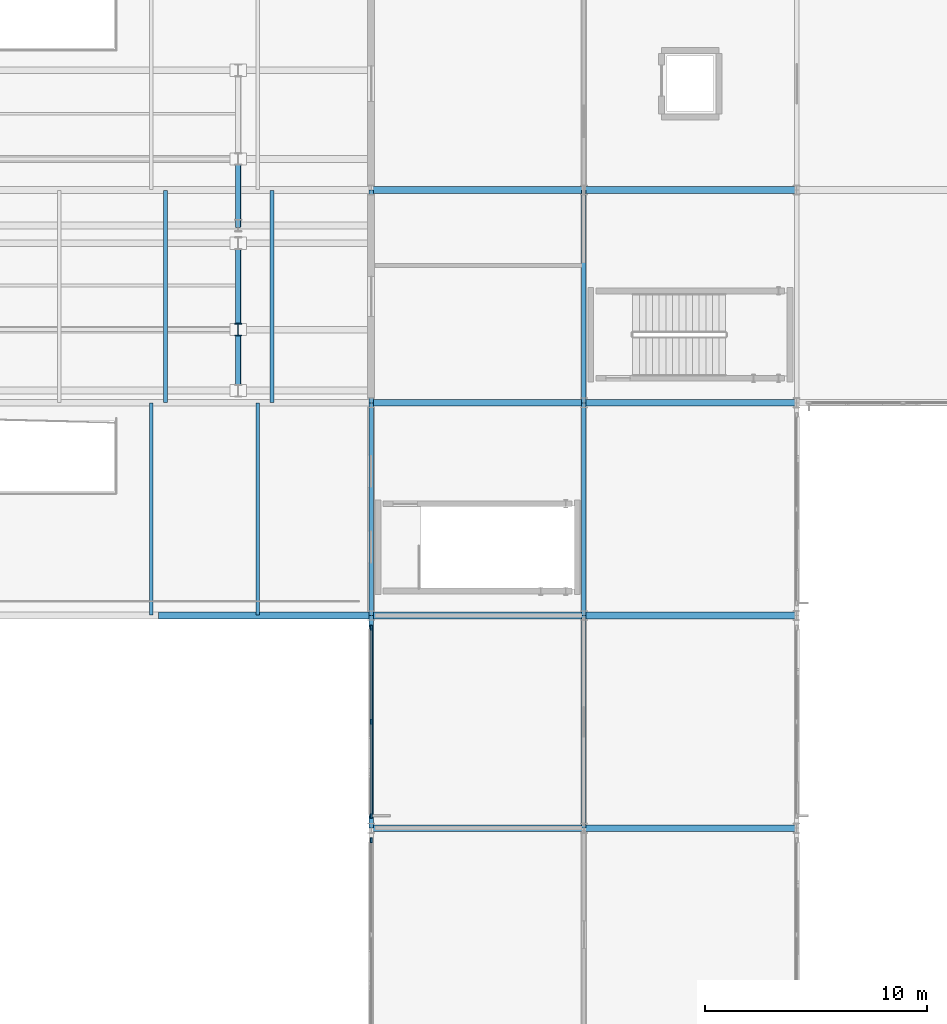
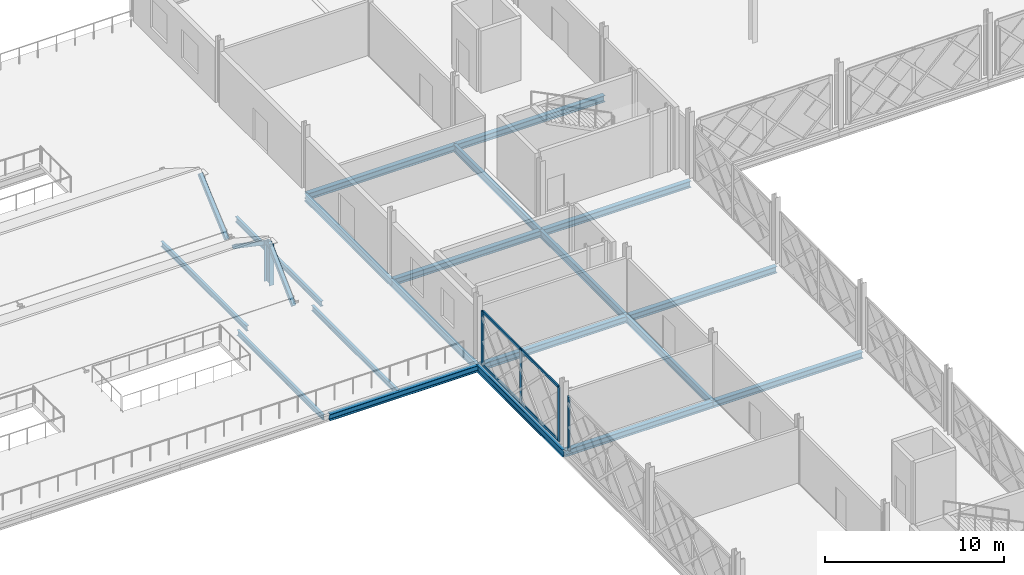
# One storey, part 44 of 101: 19 beams, 12 members, 2 elements without a shape of their own.
"""IFC4 building model written with IfcOpenShell, lengths in metres."""

from ifc_helpers import new_model, si_unit, direction, frame, origin, origin_2d, place, context, subcontext, project, spatial, rectangle, hollow_rectangle, i_section, extrude, material, layer, layer_set, material_profile, profile_set, type_object, element, aggregate, save


model = new_model("IFC4")

# Units and contexts
model_context = context("Model", 3, precision=1e-05, world=origin(), true_north=direction((0.0, 1.0)))
body_context = subcontext(model_context, "Body", "Model", "MODEL_VIEW")
ifc_project = project(units=[si_unit("LENGTHUNIT", "METRE"), si_unit("AREAUNIT", "SQUARE_METRE"), si_unit("VOLUMEUNIT", "CUBIC_METRE"), si_unit("PLANEANGLEUNIT", "RADIAN"), si_unit("MASSUNIT", "GRAM", prefix="KILO")], contexts=[model_context])

# Site, building, storey
site_placement = place(None, origin())
site = spatial("IfcSite", under=ifc_project, at=site_placement, CompositionType="ELEMENT")
building_placement = place(site_placement, origin())
building = spatial("IfcBuilding", under=site, at=building_placement, Name="Zevrakil Square Congress Hotel", CompositionType="ELEMENT")
storey_placement = place(building_placement, frame((0.0, 0.0, 5.39990234375)))
storey = spatial("IfcBuildingStorey", under=building, at=storey_placement, Name="L02", CompositionType="ELEMENT", Elevation=5.39990234375)

# Beams
ifc_material_1 = material(Name="Steel S355", Category="steel")
ifc_material_profile_1 = material_profile(ifc_material_1, i_section(OverallWidth=0.300048828125, OverallDepth=0.43994140625, WebThickness=0.011474609375, FlangeThickness=0.02099609375, FilletRadius=0.027099609375, at=origin_2d()), Name="HEA 450")
ifc_profile_set_1 = profile_set([ifc_material_profile_1], Name="Steel S355")
beam_type_1 = type_object("IfcBeamType", Name="BM-HEA450", PredefinedType="BEAM", material=ifc_profile_set_1)
beam_1_placement = place(storey_placement, frame((45.60009765625, 64.800048828125, -0.47998046875), z_axis=(1.0, 0.0, 0.0), x_axis=(0.0, 1.0, 0.0)))
element("IfcBeam", 1, at=beam_1_placement, inside=storey, type_object=beam_type_1, Name="L02 primary girder BX-0751", PredefinedType="BEAM", context=body_context, shape_type="SweptSolid", body=[
    extrude(i_section(OverallWidth=0.300048828125, OverallDepth=0.43994140625, WebThickness=0.011474609375, FlangeThickness=0.02099609375, FilletRadius=0.027099609375, at=origin_2d()), origin(), (0.0, 0.0, 1.0), 9.599853515625),
])
for number, where, z_axis, x_axis, name in (
    (2, (55.199951171875, 64.800048828125, -0.47998046875), (1.0, 0.0, 0.0), (0.0, 1.0, 0.0), "L02 primary girder BX-0752"),
    (3, (36.0, 74.39990234375, -0.47998046875), (1.0, 0.0, 0.0), (0.0, 1.0, 0.0), "L02 primary girder BX-0764"),
):
    element("IfcBeam", number, at=place(storey_placement, frame(where, z_axis=z_axis, x_axis=x_axis)), inside=storey, type_object=beam_type_1, Name=name, PredefinedType="BEAM", context=body_context, shape_type="SweptSolid", body=[
        extrude(i_section(OverallWidth=0.300048828125, OverallDepth=0.43994140625, WebThickness=0.011474609375, FlangeThickness=0.02099609375, FilletRadius=0.027099609375, at=origin_2d()), origin(), (0.0, 0.0, 1.0), 9.60009765625),
    ])
beam_2_placement = place(storey_placement, frame((45.60009765625, 74.39990234375, -0.47998046875), z_axis=(1.0, 0.0, 0.0), x_axis=(0.0, 1.0, 0.0)))
element("IfcBeam", 4, at=beam_2_placement, inside=storey, type_object=beam_type_1, Name="L02 primary girder BX-0765", PredefinedType="BEAM", context=body_context, shape_type="SweptSolid", body=[
    extrude(i_section(OverallWidth=0.300048828125, OverallDepth=0.43994140625, WebThickness=0.011474609375, FlangeThickness=0.02099609375, FilletRadius=0.027099609375, at=origin_2d()), origin(), (0.0, 0.0, 1.0), 9.599853515625),
])
beam_3_placement = place(storey_placement, frame((55.199951171875, 74.39990234375, -0.47998046875), z_axis=(1.0, 0.0, 0.0), x_axis=(0.0, 1.0, 0.0)))
element("IfcBeam", 5, at=beam_3_placement, inside=storey, type_object=beam_type_1, Name="L02 primary girder BX-0766", PredefinedType="BEAM", context=body_context, shape_type="SweptSolid", body=[
    extrude(i_section(OverallWidth=0.300048828125, OverallDepth=0.43994140625, WebThickness=0.011474609375, FlangeThickness=0.02099609375, FilletRadius=0.027099609375, at=origin_2d()), origin(), (0.0, 0.0, 1.0), 9.60009765625),
])
beam_4_placement = place(storey_placement, frame((45.60009765625, 84.0, -0.47998046875), z_axis=(1.0, 0.0, 0.0), x_axis=(0.0, 1.0, 0.0)))
element("IfcBeam", 6, at=beam_4_placement, inside=storey, type_object=beam_type_1, Name="L02 primary girder BX-0770", PredefinedType="BEAM", context=body_context, shape_type="SweptSolid", body=[
    extrude(i_section(OverallWidth=0.300048828125, OverallDepth=0.43994140625, WebThickness=0.011474609375, FlangeThickness=0.02099609375, FilletRadius=0.027099609375, at=origin_2d()), origin(), (0.0, 0.0, 1.0), 9.599853515625),
])
beam_5_placement = place(storey_placement, frame((55.199951171875, 84.0, -0.47998046875), z_axis=(1.0, 0.0, 0.0), x_axis=(0.0, 1.0, 0.0)))
element("IfcBeam", 7, at=beam_5_placement, inside=storey, type_object=beam_type_1, Name="L02 primary girder BX-0771", PredefinedType="BEAM", context=body_context, shape_type="SweptSolid", body=[
    extrude(i_section(OverallWidth=0.300048828125, OverallDepth=0.43994140625, WebThickness=0.011474609375, FlangeThickness=0.02099609375, FilletRadius=0.027099609375, at=origin_2d()), origin(), (0.0, 0.0, 1.0), 9.60009765625),
])
beam_6_placement = place(storey_placement, frame((45.60009765625, 93.60009765625, -0.47998046875), z_axis=(1.0, 0.0, 0.0), x_axis=(0.0, 1.0, 0.0)))
element("IfcBeam", 8, at=beam_6_placement, inside=storey, type_object=beam_type_1, Name="L02 primary girder BX-0780", PredefinedType="BEAM", context=body_context, shape_type="SweptSolid", body=[
    extrude(i_section(OverallWidth=0.300048828125, OverallDepth=0.43994140625, WebThickness=0.011474609375, FlangeThickness=0.02099609375, FilletRadius=0.027099609375, at=origin_2d()), origin(), (0.0, 0.0, 1.0), 9.599853515625),
])
beam_7_placement = place(storey_placement, frame((55.199951171875, 93.60009765625, -0.47998046875), z_axis=(1.0, 0.0, 0.0), x_axis=(0.0, 1.0, 0.0)))
element("IfcBeam", 9, at=beam_7_placement, inside=storey, type_object=beam_type_1, Name="L02 primary girder BX-0781", PredefinedType="BEAM", context=body_context, shape_type="SweptSolid", body=[
    extrude(i_section(OverallWidth=0.300048828125, OverallDepth=0.43994140625, WebThickness=0.011474609375, FlangeThickness=0.02099609375, FilletRadius=0.027099609375, at=origin_2d()), origin(), (0.0, 0.0, 1.0), 9.60009765625),
])
ifc_material_2 = material(Name="Steel S355", Category="steel")
ifc_material_profile_2 = material_profile(ifc_material_2, i_section(OverallWidth=0.199951171875, OverallDepth=0.5, WebThickness=0.01025390625, FlangeThickness=0.01611328125, FilletRadius=0.02099609375, at=origin_2d()), Name="IPE 500")
ifc_profile_set_2 = profile_set([ifc_material_profile_2], Name="Steel S355")
beam_type_2 = type_object("IfcBeamType", Name="BM-IPE500", PredefinedType="BEAM", material=ifc_profile_set_2)
beam_8_placement = place(storey_placement, frame((45.60009765625, 64.800048828125, -0.510009765625), z_axis=(0.0, 1.0, 0.0), x_axis=(-1.0, 0.0, 0.0)))
element("IfcBeam", 10, at=beam_8_placement, inside=storey, type_object=beam_type_2, Name="L02 primary girder BY-0849", PredefinedType="BEAM", context=body_context, shape_type="SweptSolid", body=[
    extrude(i_section(OverallWidth=0.199951171875, OverallDepth=0.5, WebThickness=0.01025390625, FlangeThickness=0.01611328125, FilletRadius=0.02099609375, at=origin_2d()), origin(), (0.0, 0.0, 1.0), 9.599853515625),
])
for number, where, z_axis, x_axis, name in (
    (11, (45.60009765625, 74.39990234375, -0.510009765625), (0.0, 1.0, 0.0), (-1.0, 0.0, 0.0), "L02 primary girder BY-0850"),
    (12, (45.60009765625, 84.0, -0.510009765625), (0.0, 1.0, 0.0), (-1.0, 0.0, 0.0), "L02 primary girder BY-0851"),
):
    element("IfcBeam", number, at=place(storey_placement, frame(where, z_axis=z_axis, x_axis=x_axis)), inside=storey, type_object=beam_type_2, Name=name, PredefinedType="BEAM", context=body_context, shape_type="SweptSolid", body=[
        extrude(i_section(OverallWidth=0.199951171875, OverallDepth=0.5, WebThickness=0.01025390625, FlangeThickness=0.01611328125, FilletRadius=0.02099609375, at=origin_2d()), origin(), (0.0, 0.0, 1.0), 9.60009765625),
    ])
beam_9_placement = place(storey_placement, frame((55.199951171875, 64.800048828125, -0.510009765625), z_axis=(0.0, 1.0, 0.0), x_axis=(-1.0, 0.0, 0.0)))
element("IfcBeam", 13, at=beam_9_placement, inside=storey, type_object=beam_type_2, Name="L02 primary girder BY-0861", PredefinedType="BEAM", context=body_context, shape_type="SweptSolid", body=[
    extrude(i_section(OverallWidth=0.199951171875, OverallDepth=0.5, WebThickness=0.01025390625, FlangeThickness=0.01611328125, FilletRadius=0.02099609375, at=origin_2d()), origin(), (0.0, 0.0, 1.0), 9.599853515625),
])
for number, where, z_axis, x_axis, name in (
    (14, (55.199951171875, 74.39990234375, -0.510009765625), (0.0, 1.0, 0.0), (-1.0, 0.0, 0.0), "L02 primary girder BY-0862"),
    (15, (55.199951171875, 84.0, -0.510009765625), (0.0, 1.0, 0.0), (-1.0, 0.0, 0.0), "L02 primary girder BY-0863"),
):
    element("IfcBeam", number, at=place(storey_placement, frame(where, z_axis=z_axis, x_axis=x_axis)), inside=storey, type_object=beam_type_2, Name=name, PredefinedType="BEAM", context=body_context, shape_type="SweptSolid", body=[
        extrude(i_section(OverallWidth=0.199951171875, OverallDepth=0.5, WebThickness=0.01025390625, FlangeThickness=0.01611328125, FilletRadius=0.02099609375, at=origin_2d()), origin(), (0.0, 0.0, 1.0), 9.60009765625),
    ])

# Curtain wall, members
ifc_material_3 = material(Name="Aluminium Anodised Bronze", Category="aluminium")
ifc_layer = layer(ifc_material_3, 0.179931640625)
ifc_layer_set = layer_set([ifc_layer], Name="Aluminium Anodised Bronze")
curtain_wall_type = type_object("IfcCurtainWallType", Name="CW-L02-840", PredefinedType="USERDEFINED", material=ifc_layer_set)
curtain_wall_1_placement = place(storey_placement, origin())
curtain_wall_1 = element("IfcCurtainWall", 16, at=curtain_wall_1_placement, inside=storey, type_object=curtain_wall_type, Name="L02 diamond curtain wall CW-L02-0027", ObjectType="GLAZED CURTAIN WALL", PredefinedType="USERDEFINED")
ifc_material_4 = material(Name="Aluminium Anodised Bronze", Category="aluminium")
ifc_material_profile_3 = material_profile(ifc_material_4, rectangle(XDim=0.0849609375, YDim=0.179931640625, at=origin_2d()), Name="ALU 85x180")
ifc_profile_set_3 = profile_set([ifc_material_profile_3], Name="Aluminium Anodised Bronze")
member_type_1 = type_object("IfcMemberType", Name="CWM-ALU85x180", PredefinedType="USERDEFINED", material=ifc_profile_set_3)
member_1_placement = place(storey_placement, frame((45.60009765625, 65.3798828125, 0.030029296875), z_axis=(0.0, 1.0, 0.0), x_axis=(-1.0, 0.0, 0.0)))
member_1 = element("IfcMember", 17, at=member_1_placement, type_object=member_type_1, Name="CW-23 transom 1.1", ObjectType="TRANSOM", PredefinedType="USERDEFINED", context=body_context, shape_type="SweptSolid", body=[
    extrude(rectangle(XDim=0.0849609375, YDim=0.179931640625, at=origin_2d()), origin(), (0.0, 0.0, 1.0), 4.190185546875),
])
member_2_placement = place(storey_placement, frame((45.60009765625, 65.3798828125, 3.64501953125), z_axis=(0.0, 1.0, 0.0), x_axis=(-1.0, 0.0, 0.0)))
member_2 = element("IfcMember", 18, at=member_2_placement, type_object=member_type_1, Name="CW-23 transom 1.2", ObjectType="TRANSOM", PredefinedType="USERDEFINED", context=body_context, shape_type="SweptSolid", body=[
    extrude(rectangle(XDim=0.0849609375, YDim=0.179931640625, at=origin_2d()), origin(), (0.0, 0.0, 1.0), 4.190185546875),
])
member_3_placement = place(storey_placement, frame((45.60009765625, 69.6298828125, 0.030029296875), z_axis=(0.0, 1.0, 0.0), x_axis=(-1.0, 0.0, 0.0)))
member_3 = element("IfcMember", 19, at=member_3_placement, type_object=member_type_1, Name="CW-23 transom 2.1", ObjectType="TRANSOM", PredefinedType="USERDEFINED", context=body_context, shape_type="SweptSolid", body=[
    extrude(rectangle(XDim=0.0849609375, YDim=0.179931640625, at=origin_2d()), origin(), (0.0, 0.0, 1.0), 4.190185546875),
])
member_4_placement = place(storey_placement, frame((45.60009765625, 69.6298828125, 3.64501953125), z_axis=(0.0, 1.0, 0.0), x_axis=(-1.0, 0.0, 0.0)))
member_4 = element("IfcMember", 20, at=member_4_placement, type_object=member_type_1, Name="CW-23 transom 2.2", ObjectType="TRANSOM", PredefinedType="USERDEFINED", context=body_context, shape_type="SweptSolid", body=[
    extrude(rectangle(XDim=0.0849609375, YDim=0.179931640625, at=origin_2d()), origin(), (0.0, 0.0, 1.0), 4.190185546875),
])

# Curtain wall, member
curtain_wall_2_placement = place(storey_placement, origin())
curtain_wall_2 = element("IfcCurtainWall", 21, at=curtain_wall_2_placement, inside=storey, type_object=curtain_wall_type, Name="L02 diamond curtain wall CW-L02-0025", ObjectType="GLAZED CURTAIN WALL", PredefinedType="USERDEFINED")
ifc_material_5 = material(Name="Aluminium Anodised Bronze", Category="aluminium")
ifc_material_profile_4 = material_profile(ifc_material_5, rectangle(XDim=0.0849609375, YDim=0.219970703125, at=origin_2d()), Name="ALU 85x220")
ifc_profile_set_4 = profile_set([ifc_material_profile_4], Name="Aluminium Anodised Bronze")
member_type_2 = type_object("IfcMemberType", Name="CWM-ALU85x220", PredefinedType="MULLION", material=ifc_profile_set_4)
member_5_placement = place(storey_placement, frame((45.60009765625, 64.25, 0.0), z_axis=(0.0, 0.0, 1.0), x_axis=(-1.0, 0.0, 0.0)))
member_5 = element("IfcMember", 22, at=member_5_placement, type_object=member_type_2, Name="CW-23 mullion 3", PredefinedType="MULLION", context=body_context, shape_type="SweptSolid", body=[
    extrude(rectangle(XDim=0.0849609375, YDim=0.219970703125, at=origin_2d()), origin(), (0.0, 0.0, 1.0), 3.675048828125),
])
aggregate(curtain_wall_2, [member_5])

# Member
member_6_placement = place(storey_placement, frame((45.60009765625, 65.35009765625, 0.0), z_axis=(0.0, 0.0, 1.0), x_axis=(-1.0, 0.0, 0.0)))
member_6 = element("IfcMember", 23, at=member_6_placement, type_object=member_type_2, Name="CW-23 mullion 1", PredefinedType="MULLION", context=body_context, shape_type="SweptSolid", body=[
    extrude(rectangle(XDim=0.0849609375, YDim=0.219970703125, at=origin_2d()), origin(), (0.0, 0.0, 1.0), 3.675048828125),
])

member_7_placement = place(storey_placement, frame((45.60009765625, 69.60009765625, 0.0), z_axis=(0.0, 0.0, 1.0), x_axis=(-1.0, 0.0, 0.0)))
member_7 = element("IfcMember", 24, at=member_7_placement, type_object=member_type_2, Name="CW-23 mullion 2", PredefinedType="MULLION", context=body_context, shape_type="SweptSolid", body=[
    extrude(rectangle(XDim=0.0849609375, YDim=0.219970703125, at=origin_2d()), origin(), (0.0, 0.0, 1.0), 3.675048828125),
])

member_8_placement = place(storey_placement, frame((45.60009765625, 73.85009765625, 0.0), z_axis=(0.0, 0.0, 1.0), x_axis=(-1.0, 0.0, 0.0)))
member_8 = element("IfcMember", 25, at=member_8_placement, type_object=member_type_2, Name="CW-23 mullion 3", PredefinedType="MULLION", context=body_context, shape_type="SweptSolid", body=[
    extrude(rectangle(XDim=0.0849609375, YDim=0.219970703125, at=origin_2d()), origin(), (0.0, 0.0, 1.0), 3.675048828125),
])

aggregate(curtain_wall_1, [member_6, member_7, member_8, member_1, member_2, member_3, member_4])

# Beams
ifc_material_6 = material(Name="Steel S355", Category="steel")
ifc_material_profile_5 = material_profile(ifc_material_6, i_section(OverallWidth=0.169921875, OverallDepth=0.360107421875, WebThickness=0.008056640625, FlangeThickness=0.0126953125, FilletRadius=0.01806640625, at=origin_2d()), Name="IPE 360")
ifc_profile_set_5 = profile_set([ifc_material_profile_5], Name="Steel S355")
beam_type_3 = type_object("IfcBeamType", Name="JST-IPE360", PredefinedType="JOIST", material=ifc_profile_set_5)
for number, where, z_axis, x_axis, name in (
    (26, (35.679931640625, 74.419921875, -0.429931640625), (0.0, 1.0, 0.0), (-1.0, 0.0, 0.0), "Spa roof garden secondary beam SPJ-09"),
    (27, (36.320068359375, 84.02001953125, -0.429931640625), (0.0, 1.0, 0.0), (-1.0, 0.0, 0.0), "Spa roof garden secondary beam SPJ-10"),
    (28, (40.47998046875, 74.419921875, -0.429931640625), (0.0, 1.0, 0.0), (-1.0, 0.0, 0.0), "Spa roof garden secondary beam SPJ-13"),
    (29, (41.1201171875, 84.02001953125, -0.429931640625), (0.0, 1.0, 0.0), (-1.0, 0.0, 0.0), "Spa roof garden secondary beam SPJ-14"),
):
    element("IfcBeam", number, at=place(storey_placement, frame(where, z_axis=z_axis, x_axis=x_axis)), inside=storey, type_object=beam_type_3, Name=name, PredefinedType="JOIST", context=body_context, shape_type="SweptSolid", body=[
        extrude(i_section(OverallWidth=0.169921875, OverallDepth=0.360107421875, WebThickness=0.008056640625, FlangeThickness=0.0126953125, FilletRadius=0.01806640625, at=origin_2d()), origin(), (0.0, 0.0, 1.0), 9.56005859375),
    ])

# Members
ifc_material_7 = material(Name="Steel S355", Category="steel")
ifc_material_profile_6 = material_profile(ifc_material_7, hollow_rectangle(XDim=0.25, YDim=0.25, WallThickness=0.012451171875, InnerFilletRadius=0.012451171875, OuterFilletRadius=0.02490234375, at=origin_2d()), Name="SHS 250x250x12.5")
ifc_profile_set_6 = profile_set([ifc_material_profile_6], Name="Steel S355")
member_type_3 = type_object("IfcMemberType", Name="MEM-BRACE-SHS250", PredefinedType="BRACE", material=ifc_profile_set_6)
member_9_placement = place(storey_placement, frame((39.60009765625, 84.550048828125, -0.349853515625), z_axis=(0.0, 0.717475818571, 0.696583411922), x_axis=(-1.0, 0.0, 0.0)))
element("IfcMember", 30, at=member_9_placement, inside=storey, type_object=member_type_3, Name="Spa monitor roof gable chord SGF-03", PredefinedType="BRACE", context=body_context, shape_type="SweptSolid", body=[
    extrude(hollow_rectangle(XDim=0.25, YDim=0.25, WallThickness=0.012451171875, InnerFilletRadius=0.012451171875, OuterFilletRadius=0.02490234375, at=origin_2d()), origin(), (0.0, 0.0, 1.0), 3.832763671875),
])
member_10_placement = place(storey_placement, frame((39.60009765625, 91.199951171875, -0.349853515625), z_axis=(0.0, -0.825152652239, 0.564909816257), x_axis=(1.0, 0.0, 0.0)))
element("IfcMember", 31, at=member_10_placement, inside=storey, type_object=member_type_3, Name="Spa monitor roof gable chord SGF-04", PredefinedType="BRACE", context=body_context, shape_type="SweptSolid", body=[
    extrude(hollow_rectangle(XDim=0.25, YDim=0.25, WallThickness=0.012451171875, InnerFilletRadius=0.012451171875, OuterFilletRadius=0.02490234375, at=origin_2d()), origin(), (0.0, 0.0, 1.0), 4.726318359375),
])
member_11_placement = place(storey_placement, frame((39.60009765625, 92.0, -0.349853515625), z_axis=(0.0, 0.747006699471, 0.66481650923), x_axis=(-1.0, 0.0, 0.0)))
element("IfcMember", 32, at=member_11_placement, inside=storey, type_object=member_type_3, Name="Spa monitor roof gable chord SGF-07", PredefinedType="BRACE", context=body_context, shape_type="SweptSolid", body=[
    extrude(hollow_rectangle(XDim=0.25, YDim=0.25, WallThickness=0.012451171875, InnerFilletRadius=0.012451171875, OuterFilletRadius=0.02490234375, at=origin_2d()), origin(), (0.0, 0.0, 1.0), 4.01611328125),
])
ifc_material_8 = material(Name="Steel S355", Category="steel")
ifc_material_profile_7 = material_profile(ifc_material_8, i_section(OverallWidth=0.305908203125, OverallDepth=0.572021484375, WebThickness=0.02099609375, FlangeThickness=0.0400390625, FilletRadius=0.027099609375, at=origin_2d()), Name="HEM 550")
ifc_profile_set_7 = profile_set([ifc_material_profile_7], Name="Steel S355")
member_type_4 = type_object("IfcMemberType", Name="MEM-CHORD-HEM550", PredefinedType="CHORD", material=ifc_profile_set_7)
member_12_placement = place(storey_placement, frame((39.60009765625, 87.300048828125, -0.469970703125), z_axis=(0.0, 0.0, 1.0), x_axis=(1.0, 0.0, 0.0)))
element("IfcMember", 33, at=member_12_placement, inside=storey, type_object=member_type_4, Name="Spa monitor ridge post SPR-87E", PredefinedType="CHORD", context=body_context, shape_type="SweptSolid", body=[
    extrude(i_section(OverallWidth=0.305908203125, OverallDepth=0.572021484375, WebThickness=0.02099609375, FlangeThickness=0.0400390625, FilletRadius=0.027099609375, at=origin_2d()), origin(), (0.0, 0.0, 1.0), 2.7900390625),
])

save(model, "model.ifc")
